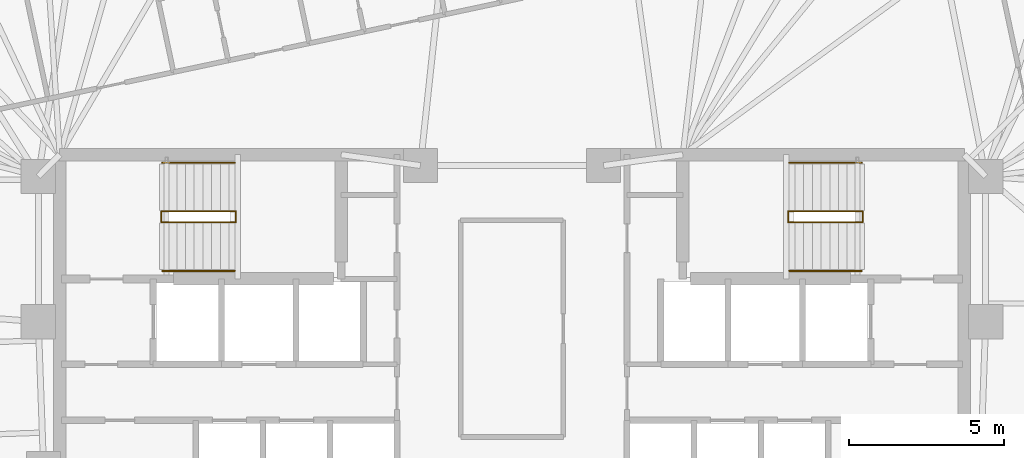
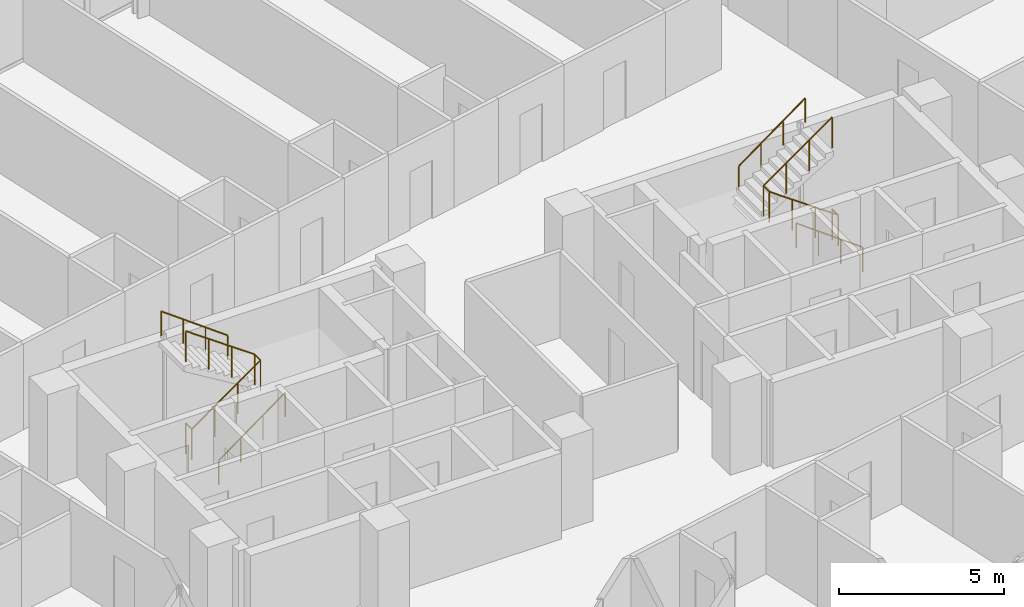
# One storey, part 20 of 20: 6 railings.
"""IFC4 building model written with IfcOpenShell, lengths in metres."""

from ifc_helpers import new_model, si_unit, direction, frame, origin, origin_2d, place, context, subcontext, project, spatial, circle, extrude, material, type_object, element, save


model = new_model("IFC4")

# Units and contexts
model_context = context("Model", 3, precision=1e-05, world=origin(), true_north=direction((0.0, 1.0)))
body_context = subcontext(model_context, "Body", "Model", "MODEL_VIEW")
ifc_project = project(units=[si_unit("LENGTHUNIT", "METRE"), si_unit("AREAUNIT", "SQUARE_METRE"), si_unit("VOLUMEUNIT", "CUBIC_METRE"), si_unit("PLANEANGLEUNIT", "RADIAN"), si_unit("MASSUNIT", "GRAM", prefix="KILO")], contexts=[model_context])

# Site, building, storey
site_placement = place(None, origin())
site = spatial("IfcSite", under=ifc_project, at=site_placement, CompositionType="ELEMENT")
building_placement = place(site_placement, origin())
building = spatial("IfcBuilding", under=site, at=building_placement, Name="Menara Jurai Vektor", CompositionType="ELEMENT")
storey_placement = place(building_placement, frame((0.0, 0.0, 185.39990234375)))
storey = spatial("IfcBuildingStorey", under=building, at=storey_placement, Name="L48", CompositionType="ELEMENT", Elevation=185.39990234375)

# Railings
ifc_material_1 = material(Name="Painted Galvanised Steel Balustrade", Category="steel")
railing_type_1 = type_object("IfcRailingType", Name="RAIL-STAIR-GUARD", PredefinedType="GUARDRAIL", material=ifc_material_1)
railing_1_placement = place(storey_placement, frame((-11.2900390625, 3.780029296875, 0.0)))
element("IfcRailing", 1, at=railing_1_placement, inside=storey, type_object=railing_type_1, Name="ST1 Stair Guardrail 1 L48", PredefinedType="GUARDRAIL", context=body_context, shape_type="SweptSolid", body=[
    extrude(circle(Radius=0.02392578125, at=origin_2d()), frame((0.0, 0.0, 1.1259765625), z_axis=(0.0, -1.0, 0.0), x_axis=(1.0, 0.0, 0.0)), (0.0, 0.0, 1.0), 0.360107421875),
    extrude(circle(Radius=0.02392578125, at=origin_2d()), frame((0.0, -0.360107421875, 1.1259765625), z_axis=(0.816009799251, 0.0, 0.57803806754), x_axis=(0.0, 1.0, 0.0)), (0.0, 0.0, 1.0), 2.94140625),
    extrude(circle(Radius=0.02392578125, at=origin_2d()), frame((2.400146484375, -0.360107421875, 2.826171875), z_axis=(0.0, 1.0, 0.0), x_axis=(-1.0, 0.0, 0.0)), (0.0, 0.0, 1.0), 0.360107421875),
    extrude(circle(Radius=0.02392578125, at=origin_2d()), frame((2.400146484375, 0.0, 2.826171875), z_axis=(-0.816048950856, 0.0, 0.577982793694), x_axis=(0.0, -1.0, 0.0)), (0.0, 0.0, 1.0), 2.941162109375),
    extrude(circle(Radius=0.02099609375, at=origin_2d()), origin(), (0.0, 0.0, 1.0), 1.101806640625),
    extrude(circle(Radius=0.02099609375, at=origin_2d()), frame((0.0, -0.360107421875, 0.0)), (0.0, 0.0, 1.0), 1.101806640625),
    extrude(circle(Radius=0.02099609375, at=origin_2d()), frame((0.800048828125, -0.360107421875, 0.566650390625)), (0.0, 0.0, 1.0), 1.101806640625),
    extrude(circle(Radius=0.02099609375, at=origin_2d()), frame((1.60009765625, -0.360107421875, 1.133544921875)), (0.0, 0.0, 1.0), 1.101806640625),
    extrude(circle(Radius=0.02099609375, at=origin_2d()), frame((2.400146484375, -0.360107421875, 1.7001953125)), (0.0, 0.0, 1.0), 1.101806640625),
    extrude(circle(Radius=0.02099609375, at=origin_2d()), frame((2.400146484375, 0.0, 1.7001953125)), (0.0, 0.0, 1.0), 1.101806640625),
    extrude(circle(Radius=0.02099609375, at=origin_2d()), frame((1.60009765625, 0.0, 2.266845703125)), (0.0, 0.0, 1.0), 1.101806640625),
    extrude(circle(Radius=0.02099609375, at=origin_2d()), frame((0.800048828125, 0.0, 2.83349609375)), (0.0, 0.0, 1.0), 1.101806640625),
    extrude(circle(Radius=0.02099609375, at=origin_2d()), frame((0.0, 0.0, 3.400146484375)), (0.0, 0.0, 1.0), 1.101806640625),
])
railing_2_placement = place(storey_placement, frame((11.2900390625, 3.780029296875, 0.0)))
element("IfcRailing", 2, at=railing_2_placement, inside=storey, type_object=railing_type_1, Name="ST2 Stair Guardrail 1 L48", PredefinedType="GUARDRAIL", context=body_context, shape_type="SweptSolid", body=[
    extrude(circle(Radius=0.02392578125, at=origin_2d()), frame((0.0, 0.0, 1.1259765625), z_axis=(0.0, -1.0, 0.0), x_axis=(1.0, 0.0, 0.0)), (0.0, 0.0, 1.0), 0.360107421875),
    extrude(circle(Radius=0.02392578125, at=origin_2d()), frame((0.0, -0.360107421875, 1.1259765625), z_axis=(-0.816009799251, 0.0, 0.57803806754), x_axis=(0.0, -1.0, 0.0)), (0.0, 0.0, 1.0), 2.94140625),
    extrude(circle(Radius=0.02392578125, at=origin_2d()), frame((-2.400146484375, -0.360107421875, 2.826171875), z_axis=(0.0, 1.0, 0.0), x_axis=(-1.0, 0.0, 0.0)), (0.0, 0.0, 1.0), 0.360107421875),
    extrude(circle(Radius=0.02392578125, at=origin_2d()), frame((-2.400146484375, 0.0, 2.826171875), z_axis=(0.816048950856, 0.0, 0.577982793694), x_axis=(0.0, 1.0, 0.0)), (0.0, 0.0, 1.0), 2.941162109375),
    extrude(circle(Radius=0.02099609375, at=origin_2d()), origin(), (0.0, 0.0, 1.0), 1.101806640625),
    extrude(circle(Radius=0.02099609375, at=origin_2d()), frame((0.0, -0.360107421875, 0.0)), (0.0, 0.0, 1.0), 1.101806640625),
    extrude(circle(Radius=0.02099609375, at=origin_2d()), frame((-0.800048828125, -0.360107421875, 0.566650390625)), (0.0, 0.0, 1.0), 1.101806640625),
    extrude(circle(Radius=0.02099609375, at=origin_2d()), frame((-1.60009765625, -0.360107421875, 1.133544921875)), (0.0, 0.0, 1.0), 1.101806640625),
    extrude(circle(Radius=0.02099609375, at=origin_2d()), frame((-2.400146484375, -0.360107421875, 1.7001953125)), (0.0, 0.0, 1.0), 1.101806640625),
    extrude(circle(Radius=0.02099609375, at=origin_2d()), frame((-2.400146484375, 0.0, 1.7001953125)), (0.0, 0.0, 1.0), 1.101806640625),
    extrude(circle(Radius=0.02099609375, at=origin_2d()), frame((-1.60009765625, 0.0, 2.266845703125)), (0.0, 0.0, 1.0), 1.101806640625),
    extrude(circle(Radius=0.02099609375, at=origin_2d()), frame((-0.800048828125, 0.0, 2.83349609375)), (0.0, 0.0, 1.0), 1.101806640625),
    extrude(circle(Radius=0.02099609375, at=origin_2d()), frame((0.0, 0.0, 3.400146484375)), (0.0, 0.0, 1.0), 1.101806640625),
])
ifc_material_2 = material(Name="Brushed Stainless Steel Handrail", Category="steel")
railing_type_2 = type_object("IfcRailingType", Name="RAIL-STAIR-HAND", PredefinedType="HANDRAIL", material=ifc_material_2)
railing_3_placement = place(storey_placement, frame((-11.25, 1.860107421875, 0.0)))
element("IfcRailing", 3, at=railing_3_placement, inside=storey, type_object=railing_type_2, Name="ST1 Stair Handrail 1 L48", PredefinedType="HANDRAIL", context=body_context, shape_type="SweptSolid", body=[
    extrude(circle(Radius=0.02392578125, at=origin_2d()), frame((0.0, 0.0, 0.89599609375), z_axis=(0.806601938303, 0.0, 0.591095011927), x_axis=(0.0, 1.0, 0.0)), (0.0, 0.0, 1.0), 2.87646484375),
    extrude(circle(Radius=0.02099609375, at=origin_2d()), origin(), (0.0, 0.0, 1.0), 0.871826171875),
    extrude(circle(Radius=0.02099609375, at=origin_2d()), frame((0.7734375, 0.0, 0.566650390625)), (0.0, 0.0, 1.0), 0.871826171875),
    extrude(circle(Radius=0.02099609375, at=origin_2d()), frame((1.546630859375, 0.0, 1.133544921875)), (0.0, 0.0, 1.0), 0.871826171875),
    extrude(circle(Radius=0.02099609375, at=origin_2d()), frame((2.320068359375, 0.0, 1.7001953125)), (0.0, 0.0, 1.0), 0.871826171875),
])
railing_4_placement = place(storey_placement, frame((-8.929931640625, 5.340087890625, 1.7001953125)))
element("IfcRailing", 4, at=railing_4_placement, inside=storey, type_object=railing_type_2, Name="ST1 Stair Handrail 2 L48", PredefinedType="HANDRAIL", context=body_context, shape_type="SweptSolid", body=[
    extrude(circle(Radius=0.02392578125, at=origin_2d()), frame((0.0, 0.0, 0.89599609375), z_axis=(-0.806642406755, 0.0, 0.591039785145), x_axis=(0.0, -1.0, 0.0)), (0.0, 0.0, 1.0), 2.876220703125),
    extrude(circle(Radius=0.02099609375, at=origin_2d()), origin(), (0.0, 0.0, 1.0), 0.871826171875),
    extrude(circle(Radius=0.02099609375, at=origin_2d()), frame((-0.7734375, 0.0, 0.566650390625)), (0.0, 0.0, 1.0), 0.871826171875),
    extrude(circle(Radius=0.02099609375, at=origin_2d()), frame((-1.546630859375, 0.0, 1.13330078125)), (0.0, 0.0, 1.0), 0.871826171875),
    extrude(circle(Radius=0.02099609375, at=origin_2d()), frame((-2.320068359375, 0.0, 1.699951171875)), (0.0, 0.0, 1.0), 0.871826171875),
])
railing_5_placement = place(storey_placement, frame((11.25, 1.860107421875, 0.0)))
element("IfcRailing", 5, at=railing_5_placement, inside=storey, type_object=railing_type_2, Name="ST2 Stair Handrail 1 L48", PredefinedType="HANDRAIL", context=body_context, shape_type="SweptSolid", body=[
    extrude(circle(Radius=0.02392578125, at=origin_2d()), frame((0.0, 0.0, 0.89599609375), z_axis=(-0.806601938303, 0.0, 0.591095011927), x_axis=(0.0, -1.0, 0.0)), (0.0, 0.0, 1.0), 2.87646484375),
    extrude(circle(Radius=0.02099609375, at=origin_2d()), origin(), (0.0, 0.0, 1.0), 0.871826171875),
    extrude(circle(Radius=0.02099609375, at=origin_2d()), frame((-0.7734375, 0.0, 0.566650390625)), (0.0, 0.0, 1.0), 0.871826171875),
    extrude(circle(Radius=0.02099609375, at=origin_2d()), frame((-1.546630859375, 0.0, 1.133544921875)), (0.0, 0.0, 1.0), 0.871826171875),
    extrude(circle(Radius=0.02099609375, at=origin_2d()), frame((-2.320068359375, 0.0, 1.7001953125)), (0.0, 0.0, 1.0), 0.871826171875),
])
railing_6_placement = place(storey_placement, frame((8.929931640625, 5.340087890625, 1.7001953125)))
element("IfcRailing", 6, at=railing_6_placement, inside=storey, type_object=railing_type_2, Name="ST2 Stair Handrail 2 L48", PredefinedType="HANDRAIL", context=body_context, shape_type="SweptSolid", body=[
    extrude(circle(Radius=0.02392578125, at=origin_2d()), frame((0.0, 0.0, 0.89599609375), z_axis=(0.806642406755, 0.0, 0.591039785145), x_axis=(0.0, 1.0, 0.0)), (0.0, 0.0, 1.0), 2.876220703125),
    extrude(circle(Radius=0.02099609375, at=origin_2d()), origin(), (0.0, 0.0, 1.0), 0.871826171875),
    extrude(circle(Radius=0.02099609375, at=origin_2d()), frame((0.7734375, 0.0, 0.566650390625)), (0.0, 0.0, 1.0), 0.871826171875),
    extrude(circle(Radius=0.02099609375, at=origin_2d()), frame((1.546630859375, 0.0, 1.13330078125)), (0.0, 0.0, 1.0), 0.871826171875),
    extrude(circle(Radius=0.02099609375, at=origin_2d()), frame((2.320068359375, 0.0, 1.699951171875)), (0.0, 0.0, 1.0), 0.871826171875),
])

save(model, "model.ifc")
